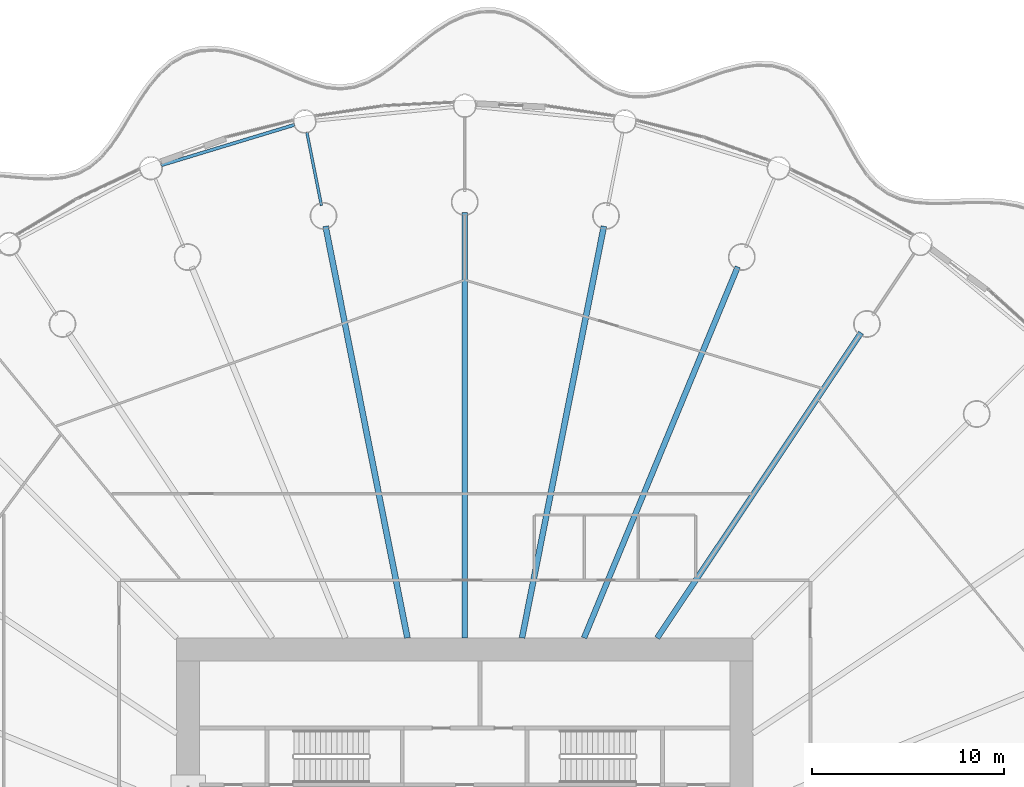
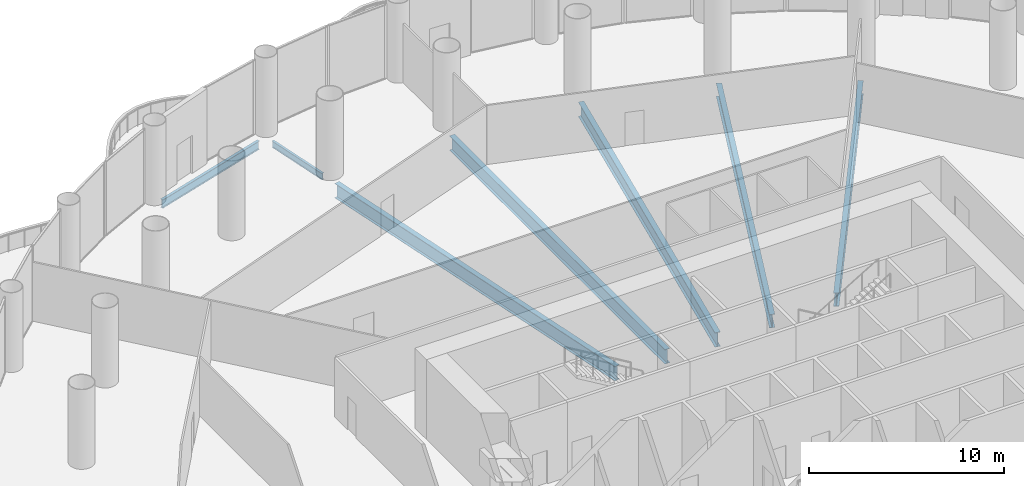
# One storey, part 17 of 36: 7 beams.
"""IFC4 building model written with IfcOpenShell, lengths in metres."""

from ifc_helpers import new_model, si_unit, direction, frame, origin, origin_2d, place, context, subcontext, project, spatial, i_section, extrude, material, material_profile, profile_set, type_object, element, save


model = new_model("IFC4")

# Units and contexts
model_context = context("Model", 3, precision=1e-05, world=origin(), true_north=direction((0.0, 1.0)))
body_context = subcontext(model_context, "Body", "Model", "MODEL_VIEW")
ifc_project = project(units=[si_unit("LENGTHUNIT", "METRE"), si_unit("AREAUNIT", "SQUARE_METRE"), si_unit("VOLUMEUNIT", "CUBIC_METRE"), si_unit("PLANEANGLEUNIT", "RADIAN"), si_unit("MASSUNIT", "GRAM", prefix="KILO")], contexts=[model_context])

# Site, building, storey
site_placement = place(None, origin())
site = spatial("IfcSite", under=ifc_project, at=site_placement, CompositionType="ELEMENT")
building_placement = place(site_placement, origin())
building = spatial("IfcBuilding", under=site, at=building_placement, Name="Corvane Civic Tower", CompositionType="ELEMENT")
storey_placement = place(building_placement, frame((0.0, 0.0, 17.0)))
storey = spatial("IfcBuildingStorey", under=building, at=storey_placement, Name="L03", CompositionType="ELEMENT", Elevation=17.0)

# Beams
ifc_material_1 = material(Name="Steel ASTM A992 Gr 50", Category="steel")
ifc_material_profile_1 = material_profile(ifc_material_1, i_section(OverallWidth=0.165771484375, OverallDepth=0.5283203125, WebThickness=0.009765625, FlangeThickness=0.013671875, at=origin_2d()), Name="W21X50")
ifc_profile_set_1 = profile_set([ifc_material_profile_1], Name="Steel ASTM A992 Gr 50")
beam_type_1 = type_object("IfcBeamType", Name="EDGE BEAM W21X50", PredefinedType="BEAM", material=ifc_profile_set_1)
beam_1_placement = place(storey_placement, frame((-15.814208984375, 39.609375, -0.564208984375), z_axis=(0.956938225664, 0.290291633127, 0.0), x_axis=(-0.290291633127, 0.956938225664, 0.0)))
element("IfcBeam", 1, at=beam_1_placement, inside=storey, type_object=beam_type_1, Name="BM-L03-E31", PredefinedType="BEAM", context=body_context, shape_type="SweptSolid", body=[
    extrude(i_section(OverallWidth=0.165771484375, OverallDepth=0.5283203125, WebThickness=0.009765625, FlangeThickness=0.013671875, at=origin_2d()), origin(), (0.0, 0.0, 1.0), 7.2705078125),
])
ifc_material_2 = material(Name="Steel ASTM A992 Gr 50", Category="steel")
ifc_material_profile_2 = material_profile(ifc_material_2, i_section(OverallWidth=0.140380859375, OverallDepth=0.40380859375, WebThickness=0.007080078125, FlangeThickness=0.01123046875, at=origin_2d()), Name="W16X31")
ifc_profile_set_2 = profile_set([ifc_material_profile_2], Name="Steel ASTM A992 Gr 50")
beam_type_2 = type_object("IfcBeamType", Name="FLOOR GIRDER W16X31", PredefinedType="BEAM", material=ifc_profile_set_2)
beam_2_placement = place(storey_placement, frame((-7.462158203125, 37.51513671875, -0.501953125), z_axis=(-0.195128858343, 0.980777614264, 0.0), x_axis=(-0.980777614264, -0.195128858343, 0.0)))
element("IfcBeam", 2, at=beam_2_placement, inside=storey, type_object=beam_type_2, Name="BM-L03-G32b", PredefinedType="BEAM", context=body_context, shape_type="SweptSolid", body=[
    extrude(i_section(OverallWidth=0.140380859375, OverallDepth=0.40380859375, WebThickness=0.007080078125, FlangeThickness=0.01123046875, at=origin_2d()), origin(), (0.0, 0.0, 1.0), 3.89990234375),
])
ifc_material_3 = material(Name="Steel ASTM A992 Gr 50", Category="steel")
ifc_material_profile_3 = material_profile(ifc_material_3, i_section(OverallWidth=0.2919921875, OverallDepth=0.845703125, WebThickness=0.015380859375, FlangeThickness=0.0244140625, at=origin_2d()), Name="W33X141")
ifc_profile_set_3 = profile_set([ifc_material_profile_3], Name="Steel ASTM A992 Gr 50")
beam_type_3 = type_object("IfcBeamType", Name="FLOOR GIRDER W33X141", PredefinedType="BEAM", material=ifc_profile_set_3)
beam_3_placement = place(storey_placement, frame((6.213134765625, 15.0, -0.722900390625), z_axis=(0.382692360381, 0.923875834355, 0.0), x_axis=(-0.923875834355, 0.382692360381, 0.0)))
element("IfcBeam", 3, at=beam_3_placement, inside=storey, type_object=beam_type_3, Name="BM-L03-G03", PredefinedType="BEAM", context=body_context, shape_type="SweptSolid", body=[
    extrude(i_section(OverallWidth=0.2919921875, OverallDepth=0.845703125, WebThickness=0.015380859375, FlangeThickness=0.0244140625, at=origin_2d()), origin(), (0.0, 0.0, 1.0), 20.9140625),
])
beam_4_placement = place(storey_placement, frame((10.022705078125, 15.0, -0.722900390625), z_axis=(0.555566681385, 0.831471985418, 0.0), x_axis=(-0.831471985418, 0.555566681385, 0.0)))
element("IfcBeam", 4, at=beam_4_placement, inside=storey, type_object=beam_type_3, Name="BM-L03-G04", PredefinedType="BEAM", context=body_context, shape_type="SweptSolid", body=[
    extrude(i_section(OverallWidth=0.2919921875, OverallDepth=0.845703125, WebThickness=0.015380859375, FlangeThickness=0.0244140625, at=origin_2d()), origin(), (0.0, 0.0, 1.0), 19.109619140625),
])
ifc_material_4 = material(Name="Steel ASTM A992 Gr 50", Category="steel")
ifc_material_profile_4 = material_profile(ifc_material_4, i_section(OverallWidth=0.3046875, OverallDepth=0.911865234375, WebThickness=0.015869140625, FlangeThickness=0.02392578125, at=origin_2d()), Name="W36X150")
ifc_profile_set_4 = profile_set([ifc_material_profile_4], Name="Steel ASTM A992 Gr 50")
beam_type_4 = type_object("IfcBeamType", Name="FLOOR GIRDER W36X150", PredefinedType="BEAM", material=ifc_profile_set_4)
beam_5_placement = place(storey_placement, frame((0.0, 15.0, -0.755859375), z_axis=(0.0, 1.0, 0.0), x_axis=(-1.0, 0.0, 0.0)))
element("IfcBeam", 5, at=beam_5_placement, inside=storey, type_object=beam_type_4, Name="BM-L03-G01", PredefinedType="BEAM", context=body_context, shape_type="SweptSolid", body=[
    extrude(i_section(OverallWidth=0.3046875, OverallDepth=0.911865234375, WebThickness=0.015869140625, FlangeThickness=0.02392578125, at=origin_2d()), origin(), (0.0, 0.0, 1.0), 22.14990234375),
])
for number, where, z_axis, x_axis, name in (
    (6, (2.983642578125, 15.0, -0.755859375), (0.195089219638, 0.980785499679, 0.0), (-0.980785499679, 0.195089219638, 0.0), "BM-L03-G02"),
    (7, (-2.983642578125, 15.0, -0.755859375), (-0.195089219638, 0.980785499679, 0.0), (-0.980785499679, -0.195089219638, 0.0), "BM-L03-G32"),
):
    element("IfcBeam", number, at=place(storey_placement, frame(where, z_axis=z_axis, x_axis=x_axis)), inside=storey, type_object=beam_type_4, Name=name, PredefinedType="BEAM", context=body_context, shape_type="SweptSolid", body=[
        extrude(i_section(OverallWidth=0.3046875, OverallDepth=0.911865234375, WebThickness=0.015869140625, FlangeThickness=0.02392578125, at=origin_2d()), origin(), (0.0, 0.0, 1.0), 21.856201171875),
    ])

save(model, "model.ifc")
